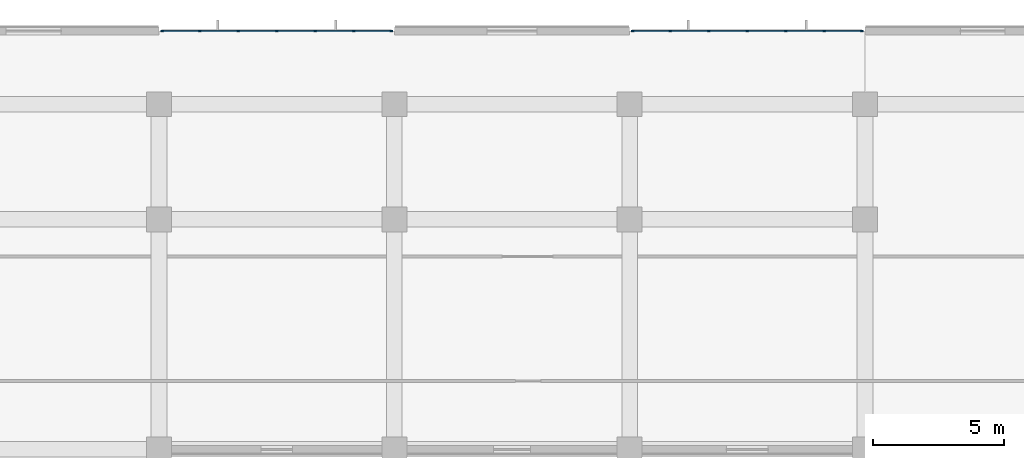
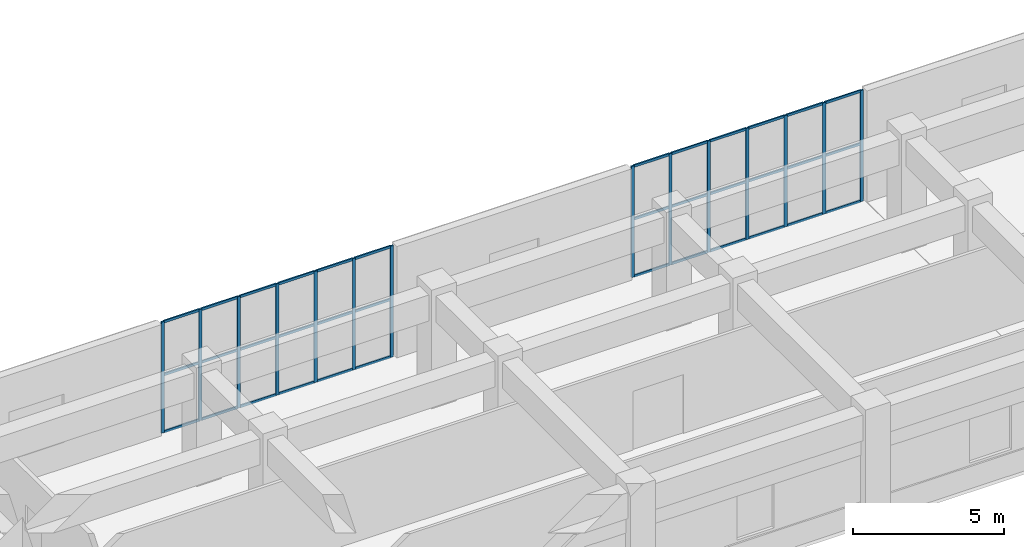
# One storey, part 31 of 86: 50 members, 2 elements without a shape of their own.
"""IFC4 building model written with IfcOpenShell, lengths in metres."""

from ifc_helpers import new_model, si_unit, direction, frame, origin, origin_2d, place, context, subcontext, project, spatial, rectangle, extrude, material, layer, layer_set, material_profile, profile_set, type_object, element, aggregate, save


model = new_model("IFC4")

# Units and contexts
model_context = context("Model", 3, precision=1e-05, world=origin(), true_north=direction((0.0, 1.0)))
body_context = subcontext(model_context, "Body", "Model", "MODEL_VIEW")
ifc_project = project(units=[si_unit("LENGTHUNIT", "METRE"), si_unit("AREAUNIT", "SQUARE_METRE"), si_unit("VOLUMEUNIT", "CUBIC_METRE"), si_unit("PLANEANGLEUNIT", "RADIAN"), si_unit("MASSUNIT", "GRAM", prefix="KILO")], contexts=[model_context])

# Site, building, storey
site_placement = place(None, origin())
site = spatial("IfcSite", under=ifc_project, at=site_placement, CompositionType="ELEMENT")
building_placement = place(site_placement, origin())
building = spatial("IfcBuilding", under=site, at=building_placement, Name="Cendralis Terraced Arcade", CompositionType="ELEMENT")
storey_placement = place(building_placement, frame((0.0, 0.0, 5.39990234375)))
storey = spatial("IfcBuildingStorey", under=building, at=storey_placement, Name="L01", CompositionType="ELEMENT", Elevation=5.39990234375)

# Curtain wall, members
ifc_material = material(Name="Anodised aluminium EN AW-6063 T6", Category="aluminium")
ifc_layer = layer(ifc_material, 0.1201171875, Name="CW-STORE-B")
ifc_layer_set = layer_set([ifc_layer], Name="Anodised aluminium EN AW-6063 T6")
curtain_wall_type = type_object("IfcCurtainWallType", Name="CW-STORE-B", PredefinedType="USERDEFINED", material=ifc_layer_set)
curtain_wall_1_placement = place(storey_placement, origin())
curtain_wall_1 = element("IfcCurtainWall", 1, at=curtain_wall_1_placement, inside=storey, type_object=curtain_wall_type, Name="Exterior Storefront Glazing CW-L01-0051", ObjectType="STOREFRONT GLAZING", PredefinedType="USERDEFINED")
ifc_material_profile_1 = material_profile(ifc_material, rectangle(XDim=0.054931640625, YDim=0.1201171875, at=origin_2d()), Name="ALU-MUL-55x120")
ifc_profile_set_1 = profile_set([ifc_material_profile_1], Name="Anodised aluminium EN AW-6063 T6")
member_type_1 = type_object("IfcMemberType", Name="CW-STORE-B-MUL", PredefinedType="MULLION", material=ifc_profile_set_1)
member_1_placement = place(storey_placement, frame((67.3173828125, 114.39990234375, 0.0), z_axis=(0.0, 0.0, 1.0), x_axis=(0.0, 1.0, 0.0)))
member_1 = element("IfcMember", 2, at=member_1_placement, type_object=member_type_1, Name="CW-S2 mullion 1", PredefinedType="MULLION", context=body_context, shape_type="SweptSolid", body=[
    extrude(rectangle(XDim=0.054931640625, YDim=0.1201171875, at=origin_2d()), origin(), (0.0, 0.0, 1.0), 4.505126953125),
])
member_2_placement = place(storey_placement, frame((68.760009765625, 114.39990234375, 0.0), z_axis=(0.0, 0.0, 1.0), x_axis=(0.0, 1.0, 0.0)))
member_2 = element("IfcMember", 3, at=member_2_placement, type_object=member_type_1, Name="CW-S2 mullion 2", PredefinedType="MULLION", context=body_context, shape_type="SweptSolid", body=[
    extrude(rectangle(XDim=0.054931640625, YDim=0.1201171875, at=origin_2d()), origin(), (0.0, 0.0, 1.0), 4.505126953125),
])
member_3_placement = place(storey_placement, frame((70.22998046875, 114.39990234375, 0.0), z_axis=(0.0, 0.0, 1.0), x_axis=(0.0, 1.0, 0.0)))
member_3 = element("IfcMember", 4, at=member_3_placement, type_object=member_type_1, Name="CW-S2 mullion 3", PredefinedType="MULLION", context=body_context, shape_type="SweptSolid", body=[
    extrude(rectangle(XDim=0.054931640625, YDim=0.1201171875, at=origin_2d()), origin(), (0.0, 0.0, 1.0), 4.505126953125),
])
member_4_placement = place(storey_placement, frame((71.699951171875, 114.39990234375, 0.0), z_axis=(0.0, 0.0, 1.0), x_axis=(0.0, 1.0, 0.0)))
member_4 = element("IfcMember", 5, at=member_4_placement, type_object=member_type_1, Name="CW-S2 mullion 4", PredefinedType="MULLION", context=body_context, shape_type="SweptSolid", body=[
    extrude(rectangle(XDim=0.054931640625, YDim=0.1201171875, at=origin_2d()), origin(), (0.0, 0.0, 1.0), 4.505126953125),
])
member_5_placement = place(storey_placement, frame((73.169921875, 114.39990234375, 0.0), z_axis=(0.0, 0.0, 1.0), x_axis=(0.0, 1.0, 0.0)))
member_5 = element("IfcMember", 6, at=member_5_placement, type_object=member_type_1, Name="CW-S2 mullion 5", PredefinedType="MULLION", context=body_context, shape_type="SweptSolid", body=[
    extrude(rectangle(XDim=0.054931640625, YDim=0.1201171875, at=origin_2d()), origin(), (0.0, 0.0, 1.0), 4.505126953125),
])
member_6_placement = place(storey_placement, frame((74.639892578125, 114.39990234375, 0.0), z_axis=(0.0, 0.0, 1.0), x_axis=(0.0, 1.0, 0.0)))
member_6 = element("IfcMember", 7, at=member_6_placement, type_object=member_type_1, Name="CW-S2 mullion 6", PredefinedType="MULLION", context=body_context, shape_type="SweptSolid", body=[
    extrude(rectangle(XDim=0.054931640625, YDim=0.1201171875, at=origin_2d()), origin(), (0.0, 0.0, 1.0), 4.505126953125),
])
member_7_placement = place(storey_placement, frame((76.08251953125, 114.39990234375, 0.0), z_axis=(0.0, 0.0, 1.0), x_axis=(0.0, 1.0, 0.0)))
member_7 = element("IfcMember", 8, at=member_7_placement, type_object=member_type_1, Name="CW-S2 mullion 7", PredefinedType="MULLION", context=body_context, shape_type="SweptSolid", body=[
    extrude(rectangle(XDim=0.054931640625, YDim=0.1201171875, at=origin_2d()), origin(), (0.0, 0.0, 1.0), 4.505126953125),
])

curtain_wall_2_placement = place(storey_placement, origin())
curtain_wall_2 = element("IfcCurtainWall", 9, at=curtain_wall_2_placement, inside=storey, type_object=curtain_wall_type, Name="Exterior Storefront Glazing CW-L01-0052", ObjectType="STOREFRONT GLAZING", PredefinedType="USERDEFINED")
member_8_placement = place(storey_placement, frame((85.3173828125, 114.39990234375, 0.0), z_axis=(0.0, 0.0, 1.0), x_axis=(0.0, 1.0, 0.0)))
member_8 = element("IfcMember", 10, at=member_8_placement, type_object=member_type_1, Name="CW-S2 mullion 1", PredefinedType="MULLION", context=body_context, shape_type="SweptSolid", body=[
    extrude(rectangle(XDim=0.054931640625, YDim=0.1201171875, at=origin_2d()), origin(), (0.0, 0.0, 1.0), 4.505126953125),
])
member_9_placement = place(storey_placement, frame((86.760009765625, 114.39990234375, 0.0), z_axis=(0.0, 0.0, 1.0), x_axis=(0.0, 1.0, 0.0)))
member_9 = element("IfcMember", 11, at=member_9_placement, type_object=member_type_1, Name="CW-S2 mullion 2", PredefinedType="MULLION", context=body_context, shape_type="SweptSolid", body=[
    extrude(rectangle(XDim=0.054931640625, YDim=0.1201171875, at=origin_2d()), origin(), (0.0, 0.0, 1.0), 4.505126953125),
])
member_10_placement = place(storey_placement, frame((88.22998046875, 114.39990234375, 0.0), z_axis=(0.0, 0.0, 1.0), x_axis=(0.0, 1.0, 0.0)))
member_10 = element("IfcMember", 12, at=member_10_placement, type_object=member_type_1, Name="CW-S2 mullion 3", PredefinedType="MULLION", context=body_context, shape_type="SweptSolid", body=[
    extrude(rectangle(XDim=0.054931640625, YDim=0.1201171875, at=origin_2d()), origin(), (0.0, 0.0, 1.0), 4.505126953125),
])
member_11_placement = place(storey_placement, frame((89.699951171875, 114.39990234375, 0.0), z_axis=(0.0, 0.0, 1.0), x_axis=(0.0, 1.0, 0.0)))
member_11 = element("IfcMember", 13, at=member_11_placement, type_object=member_type_1, Name="CW-S2 mullion 4", PredefinedType="MULLION", context=body_context, shape_type="SweptSolid", body=[
    extrude(rectangle(XDim=0.054931640625, YDim=0.1201171875, at=origin_2d()), origin(), (0.0, 0.0, 1.0), 4.505126953125),
])
member_12_placement = place(storey_placement, frame((91.169921875, 114.39990234375, 0.0), z_axis=(0.0, 0.0, 1.0), x_axis=(0.0, 1.0, 0.0)))
member_12 = element("IfcMember", 14, at=member_12_placement, type_object=member_type_1, Name="CW-S2 mullion 5", PredefinedType="MULLION", context=body_context, shape_type="SweptSolid", body=[
    extrude(rectangle(XDim=0.054931640625, YDim=0.1201171875, at=origin_2d()), origin(), (0.0, 0.0, 1.0), 4.505126953125),
])
member_13_placement = place(storey_placement, frame((92.639892578125, 114.39990234375, 0.0), z_axis=(0.0, 0.0, 1.0), x_axis=(0.0, 1.0, 0.0)))
member_13 = element("IfcMember", 15, at=member_13_placement, type_object=member_type_1, Name="CW-S2 mullion 6", PredefinedType="MULLION", context=body_context, shape_type="SweptSolid", body=[
    extrude(rectangle(XDim=0.054931640625, YDim=0.1201171875, at=origin_2d()), origin(), (0.0, 0.0, 1.0), 4.505126953125),
])
member_14_placement = place(storey_placement, frame((94.08251953125, 114.39990234375, 0.0), z_axis=(0.0, 0.0, 1.0), x_axis=(0.0, 1.0, 0.0)))
member_14 = element("IfcMember", 16, at=member_14_placement, type_object=member_type_1, Name="CW-S2 mullion 7", PredefinedType="MULLION", context=body_context, shape_type="SweptSolid", body=[
    extrude(rectangle(XDim=0.054931640625, YDim=0.1201171875, at=origin_2d()), origin(), (0.0, 0.0, 1.0), 4.505126953125),
])

# Member
ifc_material_profile_2 = material_profile(ifc_material, rectangle(XDim=0.054931640625, YDim=0.10009765625, at=origin_2d()), Name="ALU-TRN-55x100")
ifc_profile_set_2 = profile_set([ifc_material_profile_2], Name="Anodised aluminium EN AW-6063 T6")
member_type_2 = type_object("IfcMemberType", Name="CW-STORE-B-TRN", PredefinedType="USERDEFINED", material=ifc_profile_set_2)
member_15_placement = place(storey_placement, frame((67.344970703125, 114.39990234375, 0.027587890625), z_axis=(1.0, 0.0, 0.0), x_axis=(0.0, 1.0, 0.0)))
member_15 = element("IfcMember", 17, at=member_15_placement, type_object=member_type_2, Name="CW-S2 transom 1.1", ObjectType="TRANSOM", PredefinedType="USERDEFINED", context=body_context, shape_type="SweptSolid", body=[
    extrude(rectangle(XDim=0.054931640625, YDim=0.10009765625, at=origin_2d()), origin(), (0.0, 0.0, 1.0), 1.387451171875),
])

member_16_placement = place(storey_placement, frame((67.344970703125, 114.39990234375, 2.3427734375), z_axis=(1.0, 0.0, 0.0), x_axis=(0.0, 1.0, 0.0)))
member_16 = element("IfcMember", 18, at=member_16_placement, type_object=member_type_2, Name="CW-S2 transom 1.2", ObjectType="TRANSOM", PredefinedType="USERDEFINED", context=body_context, shape_type="SweptSolid", body=[
    extrude(rectangle(XDim=0.054931640625, YDim=0.10009765625, at=origin_2d()), origin(), (0.0, 0.0, 1.0), 1.387451171875),
])

member_17_placement = place(storey_placement, frame((67.344970703125, 114.39990234375, 4.4775390625), z_axis=(1.0, 0.0, 0.0), x_axis=(0.0, 1.0, 0.0)))
member_17 = element("IfcMember", 19, at=member_17_placement, type_object=member_type_2, Name="CW-S2 transom 1.3", ObjectType="TRANSOM", PredefinedType="USERDEFINED", context=body_context, shape_type="SweptSolid", body=[
    extrude(rectangle(XDim=0.054931640625, YDim=0.10009765625, at=origin_2d()), origin(), (0.0, 0.0, 1.0), 1.387451171875),
])

member_18_placement = place(storey_placement, frame((68.78759765625, 114.39990234375, 0.027587890625), z_axis=(1.0, 0.0, 0.0), x_axis=(0.0, 1.0, 0.0)))
member_18 = element("IfcMember", 20, at=member_18_placement, type_object=member_type_2, Name="CW-S2 transom 2.1", ObjectType="TRANSOM", PredefinedType="USERDEFINED", context=body_context, shape_type="SweptSolid", body=[
    extrude(rectangle(XDim=0.054931640625, YDim=0.10009765625, at=origin_2d()), origin(), (0.0, 0.0, 1.0), 1.414794921875),
])

member_19_placement = place(storey_placement, frame((68.78759765625, 114.39990234375, 2.3427734375), z_axis=(1.0, 0.0, 0.0), x_axis=(0.0, 1.0, 0.0)))
member_19 = element("IfcMember", 21, at=member_19_placement, type_object=member_type_2, Name="CW-S2 transom 2.2", ObjectType="TRANSOM", PredefinedType="USERDEFINED", context=body_context, shape_type="SweptSolid", body=[
    extrude(rectangle(XDim=0.054931640625, YDim=0.10009765625, at=origin_2d()), origin(), (0.0, 0.0, 1.0), 1.414794921875),
])

member_20_placement = place(storey_placement, frame((68.78759765625, 114.39990234375, 4.4775390625), z_axis=(1.0, 0.0, 0.0), x_axis=(0.0, 1.0, 0.0)))
member_20 = element("IfcMember", 22, at=member_20_placement, type_object=member_type_2, Name="CW-S2 transom 2.3", ObjectType="TRANSOM", PredefinedType="USERDEFINED", context=body_context, shape_type="SweptSolid", body=[
    extrude(rectangle(XDim=0.054931640625, YDim=0.10009765625, at=origin_2d()), origin(), (0.0, 0.0, 1.0), 1.414794921875),
])

member_21_placement = place(storey_placement, frame((70.257568359375, 114.39990234375, 0.027587890625), z_axis=(1.0, 0.0, 0.0), x_axis=(0.0, 1.0, 0.0)))
member_21 = element("IfcMember", 23, at=member_21_placement, type_object=member_type_2, Name="CW-S2 transom 3.1", ObjectType="TRANSOM", PredefinedType="USERDEFINED", context=body_context, shape_type="SweptSolid", body=[
    extrude(rectangle(XDim=0.054931640625, YDim=0.10009765625, at=origin_2d()), origin(), (0.0, 0.0, 1.0), 1.4150390625),
])

member_22_placement = place(storey_placement, frame((70.257568359375, 114.39990234375, 2.3427734375), z_axis=(1.0, 0.0, 0.0), x_axis=(0.0, 1.0, 0.0)))
member_22 = element("IfcMember", 24, at=member_22_placement, type_object=member_type_2, Name="CW-S2 transom 3.2", ObjectType="TRANSOM", PredefinedType="USERDEFINED", context=body_context, shape_type="SweptSolid", body=[
    extrude(rectangle(XDim=0.054931640625, YDim=0.10009765625, at=origin_2d()), origin(), (0.0, 0.0, 1.0), 1.4150390625),
])

member_23_placement = place(storey_placement, frame((70.257568359375, 114.39990234375, 4.4775390625), z_axis=(1.0, 0.0, 0.0), x_axis=(0.0, 1.0, 0.0)))
member_23 = element("IfcMember", 25, at=member_23_placement, type_object=member_type_2, Name="CW-S2 transom 3.3", ObjectType="TRANSOM", PredefinedType="USERDEFINED", context=body_context, shape_type="SweptSolid", body=[
    extrude(rectangle(XDim=0.054931640625, YDim=0.10009765625, at=origin_2d()), origin(), (0.0, 0.0, 1.0), 1.4150390625),
])

member_24_placement = place(storey_placement, frame((71.7275390625, 114.39990234375, 0.027587890625), z_axis=(1.0, 0.0, 0.0), x_axis=(0.0, 1.0, 0.0)))
member_24 = element("IfcMember", 26, at=member_24_placement, type_object=member_type_2, Name="CW-S2 transom 4.1", ObjectType="TRANSOM", PredefinedType="USERDEFINED", context=body_context, shape_type="SweptSolid", body=[
    extrude(rectangle(XDim=0.054931640625, YDim=0.10009765625, at=origin_2d()), origin(), (0.0, 0.0, 1.0), 1.4150390625),
])

member_25_placement = place(storey_placement, frame((71.7275390625, 114.39990234375, 2.3427734375), z_axis=(1.0, 0.0, 0.0), x_axis=(0.0, 1.0, 0.0)))
member_25 = element("IfcMember", 27, at=member_25_placement, type_object=member_type_2, Name="CW-S2 transom 4.2", ObjectType="TRANSOM", PredefinedType="USERDEFINED", context=body_context, shape_type="SweptSolid", body=[
    extrude(rectangle(XDim=0.054931640625, YDim=0.10009765625, at=origin_2d()), origin(), (0.0, 0.0, 1.0), 1.4150390625),
])

member_26_placement = place(storey_placement, frame((71.7275390625, 114.39990234375, 4.4775390625), z_axis=(1.0, 0.0, 0.0), x_axis=(0.0, 1.0, 0.0)))
member_26 = element("IfcMember", 28, at=member_26_placement, type_object=member_type_2, Name="CW-S2 transom 4.3", ObjectType="TRANSOM", PredefinedType="USERDEFINED", context=body_context, shape_type="SweptSolid", body=[
    extrude(rectangle(XDim=0.054931640625, YDim=0.10009765625, at=origin_2d()), origin(), (0.0, 0.0, 1.0), 1.4150390625),
])

member_27_placement = place(storey_placement, frame((73.197509765625, 114.39990234375, 0.027587890625), z_axis=(1.0, 0.0, 0.0), x_axis=(0.0, 1.0, 0.0)))
member_27 = element("IfcMember", 29, at=member_27_placement, type_object=member_type_2, Name="CW-S2 transom 5.1", ObjectType="TRANSOM", PredefinedType="USERDEFINED", context=body_context, shape_type="SweptSolid", body=[
    extrude(rectangle(XDim=0.054931640625, YDim=0.10009765625, at=origin_2d()), origin(), (0.0, 0.0, 1.0), 1.4150390625),
])

member_28_placement = place(storey_placement, frame((73.197509765625, 114.39990234375, 2.3427734375), z_axis=(1.0, 0.0, 0.0), x_axis=(0.0, 1.0, 0.0)))
member_28 = element("IfcMember", 30, at=member_28_placement, type_object=member_type_2, Name="CW-S2 transom 5.2", ObjectType="TRANSOM", PredefinedType="USERDEFINED", context=body_context, shape_type="SweptSolid", body=[
    extrude(rectangle(XDim=0.054931640625, YDim=0.10009765625, at=origin_2d()), origin(), (0.0, 0.0, 1.0), 1.4150390625),
])

member_29_placement = place(storey_placement, frame((73.197509765625, 114.39990234375, 4.4775390625), z_axis=(1.0, 0.0, 0.0), x_axis=(0.0, 1.0, 0.0)))
member_29 = element("IfcMember", 31, at=member_29_placement, type_object=member_type_2, Name="CW-S2 transom 5.3", ObjectType="TRANSOM", PredefinedType="USERDEFINED", context=body_context, shape_type="SweptSolid", body=[
    extrude(rectangle(XDim=0.054931640625, YDim=0.10009765625, at=origin_2d()), origin(), (0.0, 0.0, 1.0), 1.4150390625),
])

member_30_placement = place(storey_placement, frame((74.66748046875, 114.39990234375, 0.027587890625), z_axis=(1.0, 0.0, 0.0), x_axis=(0.0, 1.0, 0.0)))
member_30 = element("IfcMember", 32, at=member_30_placement, type_object=member_type_2, Name="CW-S2 transom 6.1", ObjectType="TRANSOM", PredefinedType="USERDEFINED", context=body_context, shape_type="SweptSolid", body=[
    extrude(rectangle(XDim=0.054931640625, YDim=0.10009765625, at=origin_2d()), origin(), (0.0, 0.0, 1.0), 1.387451171875),
])

member_31_placement = place(storey_placement, frame((74.66748046875, 114.39990234375, 2.3427734375), z_axis=(1.0, 0.0, 0.0), x_axis=(0.0, 1.0, 0.0)))
member_31 = element("IfcMember", 33, at=member_31_placement, type_object=member_type_2, Name="CW-S2 transom 6.2", ObjectType="TRANSOM", PredefinedType="USERDEFINED", context=body_context, shape_type="SweptSolid", body=[
    extrude(rectangle(XDim=0.054931640625, YDim=0.10009765625, at=origin_2d()), origin(), (0.0, 0.0, 1.0), 1.387451171875),
])

member_32_placement = place(storey_placement, frame((74.66748046875, 114.39990234375, 4.4775390625), z_axis=(1.0, 0.0, 0.0), x_axis=(0.0, 1.0, 0.0)))
member_32 = element("IfcMember", 34, at=member_32_placement, type_object=member_type_2, Name="CW-S2 transom 6.3", ObjectType="TRANSOM", PredefinedType="USERDEFINED", context=body_context, shape_type="SweptSolid", body=[
    extrude(rectangle(XDim=0.054931640625, YDim=0.10009765625, at=origin_2d()), origin(), (0.0, 0.0, 1.0), 1.387451171875),
])

aggregate(curtain_wall_1, [member_1, member_2, member_3, member_4, member_5, member_6, member_7, member_15, member_16, member_17, member_18, member_19, member_20, member_21, member_22, member_23, member_24, member_25, member_26, member_27, member_28, member_29, member_30, member_31, member_32])

member_33_placement = place(storey_placement, frame((85.344970703125, 114.39990234375, 0.027587890625), z_axis=(1.0, 0.0, 0.0), x_axis=(0.0, 1.0, 0.0)))
member_33 = element("IfcMember", 35, at=member_33_placement, type_object=member_type_2, Name="CW-S2 transom 1.1", ObjectType="TRANSOM", PredefinedType="USERDEFINED", context=body_context, shape_type="SweptSolid", body=[
    extrude(rectangle(XDim=0.054931640625, YDim=0.10009765625, at=origin_2d()), origin(), (0.0, 0.0, 1.0), 1.387451171875),
])

member_34_placement = place(storey_placement, frame((85.344970703125, 114.39990234375, 2.3427734375), z_axis=(1.0, 0.0, 0.0), x_axis=(0.0, 1.0, 0.0)))
member_34 = element("IfcMember", 36, at=member_34_placement, type_object=member_type_2, Name="CW-S2 transom 1.2", ObjectType="TRANSOM", PredefinedType="USERDEFINED", context=body_context, shape_type="SweptSolid", body=[
    extrude(rectangle(XDim=0.054931640625, YDim=0.10009765625, at=origin_2d()), origin(), (0.0, 0.0, 1.0), 1.387451171875),
])

member_35_placement = place(storey_placement, frame((85.344970703125, 114.39990234375, 4.4775390625), z_axis=(1.0, 0.0, 0.0), x_axis=(0.0, 1.0, 0.0)))
member_35 = element("IfcMember", 37, at=member_35_placement, type_object=member_type_2, Name="CW-S2 transom 1.3", ObjectType="TRANSOM", PredefinedType="USERDEFINED", context=body_context, shape_type="SweptSolid", body=[
    extrude(rectangle(XDim=0.054931640625, YDim=0.10009765625, at=origin_2d()), origin(), (0.0, 0.0, 1.0), 1.387451171875),
])

member_36_placement = place(storey_placement, frame((86.78759765625, 114.39990234375, 0.027587890625), z_axis=(1.0, 0.0, 0.0), x_axis=(0.0, 1.0, 0.0)))
member_36 = element("IfcMember", 38, at=member_36_placement, type_object=member_type_2, Name="CW-S2 transom 2.1", ObjectType="TRANSOM", PredefinedType="USERDEFINED", context=body_context, shape_type="SweptSolid", body=[
    extrude(rectangle(XDim=0.054931640625, YDim=0.10009765625, at=origin_2d()), origin(), (0.0, 0.0, 1.0), 1.414794921875),
])

member_37_placement = place(storey_placement, frame((86.78759765625, 114.39990234375, 2.3427734375), z_axis=(1.0, 0.0, 0.0), x_axis=(0.0, 1.0, 0.0)))
member_37 = element("IfcMember", 39, at=member_37_placement, type_object=member_type_2, Name="CW-S2 transom 2.2", ObjectType="TRANSOM", PredefinedType="USERDEFINED", context=body_context, shape_type="SweptSolid", body=[
    extrude(rectangle(XDim=0.054931640625, YDim=0.10009765625, at=origin_2d()), origin(), (0.0, 0.0, 1.0), 1.414794921875),
])

member_38_placement = place(storey_placement, frame((86.78759765625, 114.39990234375, 4.4775390625), z_axis=(1.0, 0.0, 0.0), x_axis=(0.0, 1.0, 0.0)))
member_38 = element("IfcMember", 40, at=member_38_placement, type_object=member_type_2, Name="CW-S2 transom 2.3", ObjectType="TRANSOM", PredefinedType="USERDEFINED", context=body_context, shape_type="SweptSolid", body=[
    extrude(rectangle(XDim=0.054931640625, YDim=0.10009765625, at=origin_2d()), origin(), (0.0, 0.0, 1.0), 1.414794921875),
])

member_39_placement = place(storey_placement, frame((88.257568359375, 114.39990234375, 0.027587890625), z_axis=(1.0, 0.0, 0.0), x_axis=(0.0, 1.0, 0.0)))
member_39 = element("IfcMember", 41, at=member_39_placement, type_object=member_type_2, Name="CW-S2 transom 3.1", ObjectType="TRANSOM", PredefinedType="USERDEFINED", context=body_context, shape_type="SweptSolid", body=[
    extrude(rectangle(XDim=0.054931640625, YDim=0.10009765625, at=origin_2d()), origin(), (0.0, 0.0, 1.0), 1.4150390625),
])

member_40_placement = place(storey_placement, frame((88.257568359375, 114.39990234375, 2.3427734375), z_axis=(1.0, 0.0, 0.0), x_axis=(0.0, 1.0, 0.0)))
member_40 = element("IfcMember", 42, at=member_40_placement, type_object=member_type_2, Name="CW-S2 transom 3.2", ObjectType="TRANSOM", PredefinedType="USERDEFINED", context=body_context, shape_type="SweptSolid", body=[
    extrude(rectangle(XDim=0.054931640625, YDim=0.10009765625, at=origin_2d()), origin(), (0.0, 0.0, 1.0), 1.4150390625),
])

member_41_placement = place(storey_placement, frame((88.257568359375, 114.39990234375, 4.4775390625), z_axis=(1.0, 0.0, 0.0), x_axis=(0.0, 1.0, 0.0)))
member_41 = element("IfcMember", 43, at=member_41_placement, type_object=member_type_2, Name="CW-S2 transom 3.3", ObjectType="TRANSOM", PredefinedType="USERDEFINED", context=body_context, shape_type="SweptSolid", body=[
    extrude(rectangle(XDim=0.054931640625, YDim=0.10009765625, at=origin_2d()), origin(), (0.0, 0.0, 1.0), 1.4150390625),
])

member_42_placement = place(storey_placement, frame((89.7275390625, 114.39990234375, 0.027587890625), z_axis=(1.0, 0.0, 0.0), x_axis=(0.0, 1.0, 0.0)))
member_42 = element("IfcMember", 44, at=member_42_placement, type_object=member_type_2, Name="CW-S2 transom 4.1", ObjectType="TRANSOM", PredefinedType="USERDEFINED", context=body_context, shape_type="SweptSolid", body=[
    extrude(rectangle(XDim=0.054931640625, YDim=0.10009765625, at=origin_2d()), origin(), (0.0, 0.0, 1.0), 1.4150390625),
])

member_43_placement = place(storey_placement, frame((89.7275390625, 114.39990234375, 2.3427734375), z_axis=(1.0, 0.0, 0.0), x_axis=(0.0, 1.0, 0.0)))
member_43 = element("IfcMember", 45, at=member_43_placement, type_object=member_type_2, Name="CW-S2 transom 4.2", ObjectType="TRANSOM", PredefinedType="USERDEFINED", context=body_context, shape_type="SweptSolid", body=[
    extrude(rectangle(XDim=0.054931640625, YDim=0.10009765625, at=origin_2d()), origin(), (0.0, 0.0, 1.0), 1.4150390625),
])

member_44_placement = place(storey_placement, frame((89.7275390625, 114.39990234375, 4.4775390625), z_axis=(1.0, 0.0, 0.0), x_axis=(0.0, 1.0, 0.0)))
member_44 = element("IfcMember", 46, at=member_44_placement, type_object=member_type_2, Name="CW-S2 transom 4.3", ObjectType="TRANSOM", PredefinedType="USERDEFINED", context=body_context, shape_type="SweptSolid", body=[
    extrude(rectangle(XDim=0.054931640625, YDim=0.10009765625, at=origin_2d()), origin(), (0.0, 0.0, 1.0), 1.4150390625),
])

member_45_placement = place(storey_placement, frame((91.197509765625, 114.39990234375, 0.027587890625), z_axis=(1.0, 0.0, 0.0), x_axis=(0.0, 1.0, 0.0)))
member_45 = element("IfcMember", 47, at=member_45_placement, type_object=member_type_2, Name="CW-S2 transom 5.1", ObjectType="TRANSOM", PredefinedType="USERDEFINED", context=body_context, shape_type="SweptSolid", body=[
    extrude(rectangle(XDim=0.054931640625, YDim=0.10009765625, at=origin_2d()), origin(), (0.0, 0.0, 1.0), 1.4150390625),
])

member_46_placement = place(storey_placement, frame((91.197509765625, 114.39990234375, 2.3427734375), z_axis=(1.0, 0.0, 0.0), x_axis=(0.0, 1.0, 0.0)))
member_46 = element("IfcMember", 48, at=member_46_placement, type_object=member_type_2, Name="CW-S2 transom 5.2", ObjectType="TRANSOM", PredefinedType="USERDEFINED", context=body_context, shape_type="SweptSolid", body=[
    extrude(rectangle(XDim=0.054931640625, YDim=0.10009765625, at=origin_2d()), origin(), (0.0, 0.0, 1.0), 1.4150390625),
])

member_47_placement = place(storey_placement, frame((91.197509765625, 114.39990234375, 4.4775390625), z_axis=(1.0, 0.0, 0.0), x_axis=(0.0, 1.0, 0.0)))
member_47 = element("IfcMember", 49, at=member_47_placement, type_object=member_type_2, Name="CW-S2 transom 5.3", ObjectType="TRANSOM", PredefinedType="USERDEFINED", context=body_context, shape_type="SweptSolid", body=[
    extrude(rectangle(XDim=0.054931640625, YDim=0.10009765625, at=origin_2d()), origin(), (0.0, 0.0, 1.0), 1.4150390625),
])

member_48_placement = place(storey_placement, frame((92.66748046875, 114.39990234375, 0.027587890625), z_axis=(1.0, 0.0, 0.0), x_axis=(0.0, 1.0, 0.0)))
member_48 = element("IfcMember", 50, at=member_48_placement, type_object=member_type_2, Name="CW-S2 transom 6.1", ObjectType="TRANSOM", PredefinedType="USERDEFINED", context=body_context, shape_type="SweptSolid", body=[
    extrude(rectangle(XDim=0.054931640625, YDim=0.10009765625, at=origin_2d()), origin(), (0.0, 0.0, 1.0), 1.387451171875),
])

member_49_placement = place(storey_placement, frame((92.66748046875, 114.39990234375, 2.3427734375), z_axis=(1.0, 0.0, 0.0), x_axis=(0.0, 1.0, 0.0)))
member_49 = element("IfcMember", 51, at=member_49_placement, type_object=member_type_2, Name="CW-S2 transom 6.2", ObjectType="TRANSOM", PredefinedType="USERDEFINED", context=body_context, shape_type="SweptSolid", body=[
    extrude(rectangle(XDim=0.054931640625, YDim=0.10009765625, at=origin_2d()), origin(), (0.0, 0.0, 1.0), 1.387451171875),
])

member_50_placement = place(storey_placement, frame((92.66748046875, 114.39990234375, 4.4775390625), z_axis=(1.0, 0.0, 0.0), x_axis=(0.0, 1.0, 0.0)))
member_50 = element("IfcMember", 52, at=member_50_placement, type_object=member_type_2, Name="CW-S2 transom 6.3", ObjectType="TRANSOM", PredefinedType="USERDEFINED", context=body_context, shape_type="SweptSolid", body=[
    extrude(rectangle(XDim=0.054931640625, YDim=0.10009765625, at=origin_2d()), origin(), (0.0, 0.0, 1.0), 1.387451171875),
])

aggregate(curtain_wall_2, [member_8, member_9, member_10, member_11, member_12, member_13, member_14, member_33, member_34, member_35, member_36, member_37, member_38, member_39, member_40, member_41, member_42, member_43, member_44, member_45, member_46, member_47, member_48, member_49, member_50])

save(model, "model.ifc")
